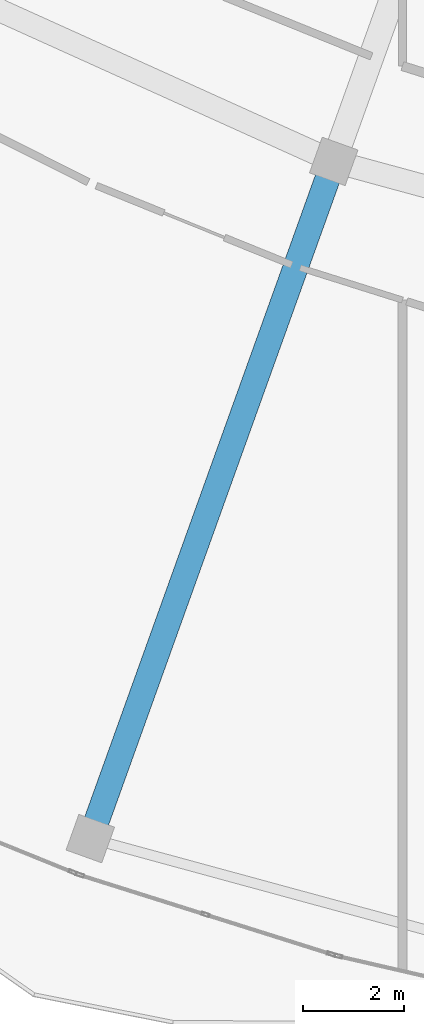
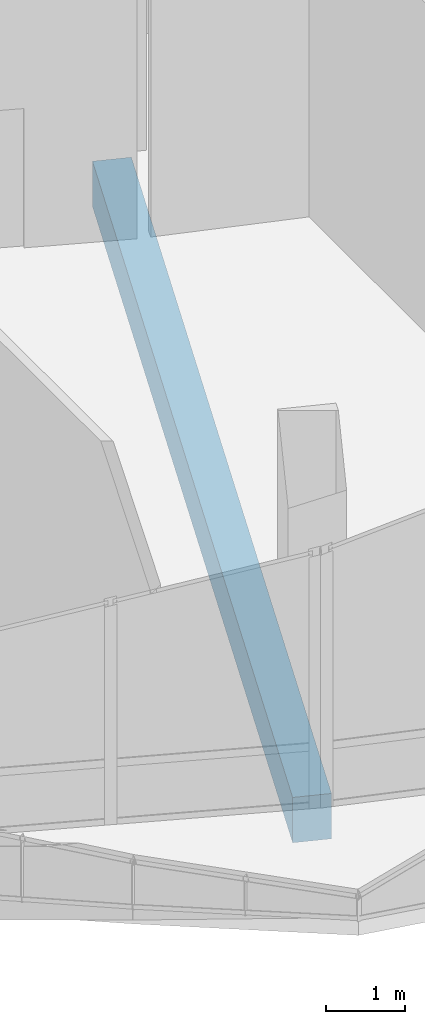
# One storey, part 19 of 158: 1 beam.
"""IFC4 building model written with IfcOpenShell, lengths in metres."""

from ifc_helpers import new_model, si_unit, direction, frame, origin, origin_2d, place, context, subcontext, project, spatial, rectangle, extrude, material, material_profile, profile_set, type_object, element, save


model = new_model("IFC4")

# Units and contexts
model_context = context("Model", 3, precision=1e-05, world=origin(), true_north=direction((0.0, 1.0)))
body_context = subcontext(model_context, "Body", "Model", "MODEL_VIEW")
ifc_project = project(units=[si_unit("LENGTHUNIT", "METRE"), si_unit("AREAUNIT", "SQUARE_METRE"), si_unit("VOLUMEUNIT", "CUBIC_METRE"), si_unit("PLANEANGLEUNIT", "RADIAN"), si_unit("MASSUNIT", "GRAM", prefix="KILO")], contexts=[model_context])

# Site, building, storey
site_placement = place(None, origin())
site = spatial("IfcSite", under=ifc_project, at=site_placement, CompositionType="ELEMENT")
building_placement = place(site_placement, origin())
building = spatial("IfcBuilding", under=site, at=building_placement, Name="Selatvlak General Hospital", CompositionType="ELEMENT")
storey_placement = place(building_placement, origin())
storey = spatial("IfcBuildingStorey", under=building, at=storey_placement, Name="L00", CompositionType="ELEMENT", Elevation=0.0)

# Beam
ifc_material = material(Name="Concrete C40/50", Category="concrete")
ifc_material_profile = material_profile(ifc_material, rectangle(XDim=0.5, YDim=0.699951171875, at=origin_2d()), Name="RC-BM 500x700")
ifc_profile_set = profile_set([ifc_material_profile], Name="Concrete C40/50")
beam_type = type_object("IfcBeamType", Name="BM-G03", PredefinedType="BEAM", material=ifc_profile_set)
beam_placement = place(storey_placement, frame((38.239013671875, 30.095947265625, -0.699951171875), z_axis=(-0.338253491381, -0.941055033231, 0.0), x_axis=(0.941055033231, -0.338253491381, 0.0)))
element("IfcBeam", 1, at=beam_placement, inside=storey, type_object=beam_type, Name="Beam BMR-L00-0338", PredefinedType="BEAM", context=body_context, shape_type="SweptSolid", body=[
    extrude(rectangle(XDim=0.5, YDim=0.699951171875, at=origin_2d()), origin(), (0.0, 0.0, 1.0), 14.249755859375),
])

save(model, "model.ifc")
